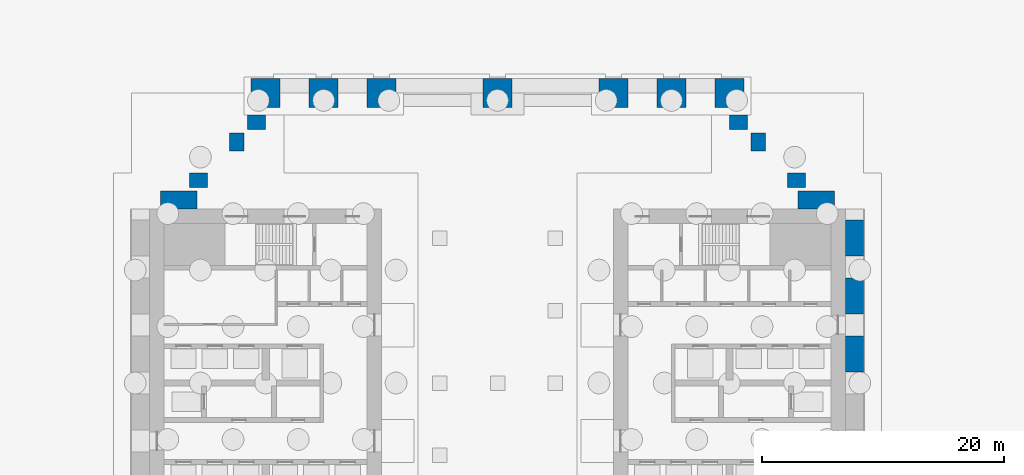
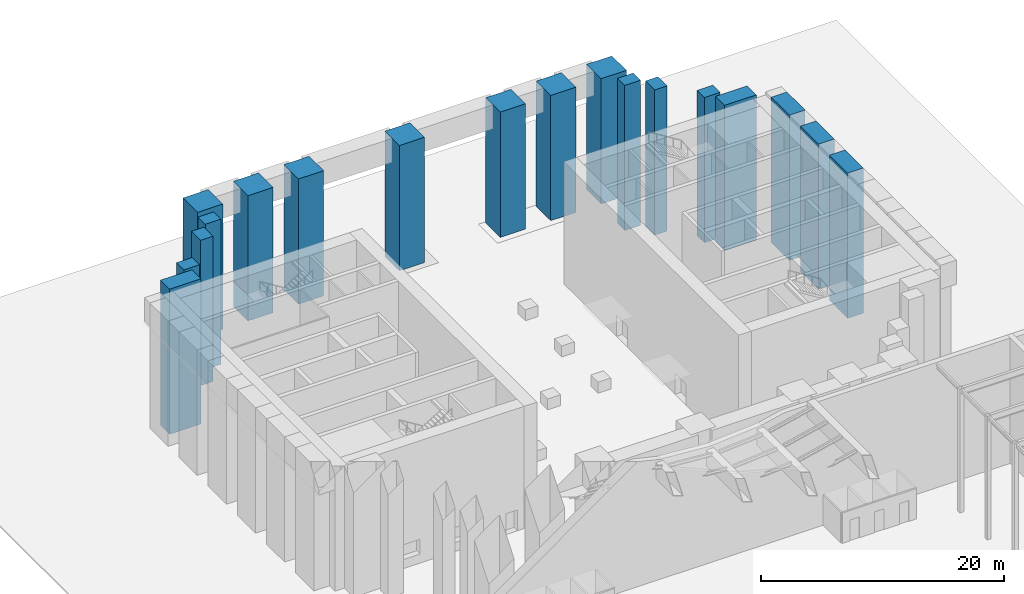
# One storey, part 7 of 58: 18 columns.
"""IFC4 building model written with IfcOpenShell, lengths in metres."""

from ifc_helpers import new_model, si_unit, direction, frame, origin, origin_2d, place, context, subcontext, project, spatial, rectangle, extrude, material, material_profile, profile_set, type_object, element, save


model = new_model("IFC4")

# Units and contexts
model_context = context("Model", 3, precision=1e-05, world=origin(), true_north=direction((0.0, 1.0)))
body_context = subcontext(model_context, "Body", "Model", "MODEL_VIEW")
ifc_project = project(units=[si_unit("LENGTHUNIT", "METRE"), si_unit("AREAUNIT", "SQUARE_METRE"), si_unit("VOLUMEUNIT", "CUBIC_METRE"), si_unit("PLANEANGLEUNIT", "RADIAN"), si_unit("MASSUNIT", "GRAM", prefix="KILO")], contexts=[model_context])

# Site, building, storey
site_placement = place(None, origin())
site = spatial("IfcSite", under=ifc_project, at=site_placement, CompositionType="ELEMENT")
building_placement = place(site_placement, origin())
building = spatial("IfcBuilding", under=site, at=building_placement, Name="Baori Bourse Tower", CompositionType="ELEMENT")
storey_placement = place(building_placement, origin())
storey = spatial("IfcBuildingStorey", under=building, at=storey_placement, Name="L00", CompositionType="ELEMENT", Elevation=0.0)

# Columns
ifc_material_1 = material(Name="Concrete f'c 60 MPa", Category="concrete")
ifc_material_profile_1 = material_profile(ifc_material_1, rectangle(XDim=1.199951171875, YDim=1.5, at=origin_2d()), Name="RC 1200x1500")
ifc_profile_set_1 = profile_set([ifc_material_profile_1], Name="Concrete f'c 60 MPa")
column_type_1 = type_object("IfcColumnType", Name="FN2 Brick pilaster", PredefinedType="PILASTER", material=ifc_profile_set_1)
for number, where, z_axis, x_axis, name in (
    (1, (53.550048828125, 40.800048828125, -2.0), (0.0, 0.0, 1.0), (0.0, 1.0, 0.0), "Brick pilaster L00 17"),
    (2, (50.39990234375, 43.949951171875, -2.0), (0.0, 0.0, 1.0), (1.0, 0.0, 0.0), "Brick pilaster L00 18"),
    (3, (48.75, 45.60009765625, -2.0), (0.0, 0.0, 1.0), (0.0, 1.0, 0.0), "Brick pilaster L00 19"),
    (4, (8.85009765625, 45.60009765625, -2.0), (0.0, 0.0, 1.0), (0.0, 1.0, 0.0), "Brick pilaster L00 20"),
    (5, (7.199951171875, 43.949951171875, -2.0), (0.0, 0.0, 1.0), (1.0, 0.0, 0.0), "Brick pilaster L00 21"),
    (6, (4.050048828125, 40.800048828125, -2.0), (0.0, 0.0, 1.0), (0.0, 1.0, 0.0), "Brick pilaster L00 22"),
):
    element("IfcColumn", number, at=place(storey_placement, frame(where, z_axis=z_axis, x_axis=x_axis)), inside=storey, type_object=column_type_1, Name=name, PredefinedType="PILASTER", context=body_context, shape_type="SweptSolid", body=[
        extrude(rectangle(XDim=1.199951171875, YDim=1.5, at=origin_2d()), origin(), (0.0, 0.0, 1.0), 14.60009765625),
    ])
ifc_material_2 = material(Name="Concrete f'c 60 MPa", Category="concrete")
ifc_material_profile_2 = material_profile(ifc_material_2, rectangle(XDim=3.0, YDim=1.5, at=origin_2d()), Name="RC 3000x1500")
ifc_profile_set_2 = profile_set([ifc_material_profile_2], Name="Concrete f'c 60 MPa")
column_type_2 = type_object("IfcColumnType", Name="FN4 Brick flank pilaster 3000x1500", PredefinedType="PILASTER", material=ifc_profile_set_2)
for number, where, z_axis, x_axis, name in (
    (7, (58.35009765625, 26.39990234375, -2.0), (0.0, 0.0, 1.0), (0.0, 1.0, 0.0), "Brick pilaster L00 5"),
    (8, (58.35009765625, 31.199951171875, -2.0), (0.0, 0.0, 1.0), (0.0, 1.0, 0.0), "Brick pilaster L00 6"),
    (9, (58.35009765625, 36.0, -2.0), (0.0, 0.0, 1.0), (0.0, 1.0, 0.0), "Brick pilaster L00 7"),
    (10, (55.199951171875, 39.14990234375, -2.0), (0.0, 0.0, 1.0), (1.0, 0.0, 0.0), "Brick pilaster L00 8"),
    (11, (2.39990234375, 39.14990234375, -2.0), (0.0, 0.0, 1.0), (1.0, 0.0, 0.0), "Brick pilaster L00 9"),
):
    element("IfcColumn", number, at=place(storey_placement, frame(where, z_axis=z_axis, x_axis=x_axis)), inside=storey, type_object=column_type_2, Name=name, PredefinedType="PILASTER", context=body_context, shape_type="SweptSolid", body=[
        extrude(rectangle(XDim=3.0, YDim=1.5, at=origin_2d()), origin(), (0.0, 0.0, 1.0), 14.60009765625),
    ])
ifc_material_3 = material(Name="Concrete f'c 70 MPa", Category="concrete")
ifc_material_profile_3 = material_profile(ifc_material_3, rectangle(XDim=2.39990234375, YDim=2.39990234375, at=origin_2d()), Name="RC 2400x2400")
ifc_profile_set_3 = profile_set([ifc_material_profile_3], Name="Concrete f'c 70 MPa")
column_type_3 = type_object("IfcColumnType", Name="Perimeter column RC 2400x2400", PredefinedType="COLUMN", material=ifc_profile_set_3)
for number, where, z_axis, x_axis, name in (
    (12, (9.60009765625, 48.0, 0.0), (0.0, 0.0, 1.0), (1.0, 0.0, 0.0), "Perimeter column L00"),
    (13, (14.39990234375, 48.0, 0.0), (0.0, 0.0, 1.0), (1.0, 0.0, 0.0), "Perimeter column L00"),
    (14, (19.199951171875, 48.0, 0.0), (0.0, 0.0, 1.0), (1.0, 0.0, 0.0), "Perimeter column L00"),
    (15, (28.800048828125, 48.0, 0.0), (0.0, 0.0, 1.0), (1.0, 0.0, 0.0), "Perimeter column L00"),
    (16, (38.39990234375, 48.0, 0.0), (0.0, 0.0, 1.0), (1.0, 0.0, 0.0), "Perimeter column L00"),
    (17, (43.199951171875, 48.0, 0.0), (0.0, 0.0, 1.0), (1.0, 0.0, 0.0), "Perimeter column L00"),
    (18, (48.0, 48.0, 0.0), (0.0, 0.0, 1.0), (1.0, 0.0, 0.0), "Perimeter column L00"),
):
    element("IfcColumn", number, at=place(storey_placement, frame(where, z_axis=z_axis, x_axis=x_axis)), inside=storey, type_object=column_type_3, Name=name, PredefinedType="COLUMN", context=body_context, shape_type="SweptSolid", body=[
        extrude(rectangle(XDim=2.39990234375, YDim=2.39990234375, at=origin_2d()), origin(), (0.0, 0.0, 1.0), 12.60009765625),
    ])

save(model, "model.ifc")
